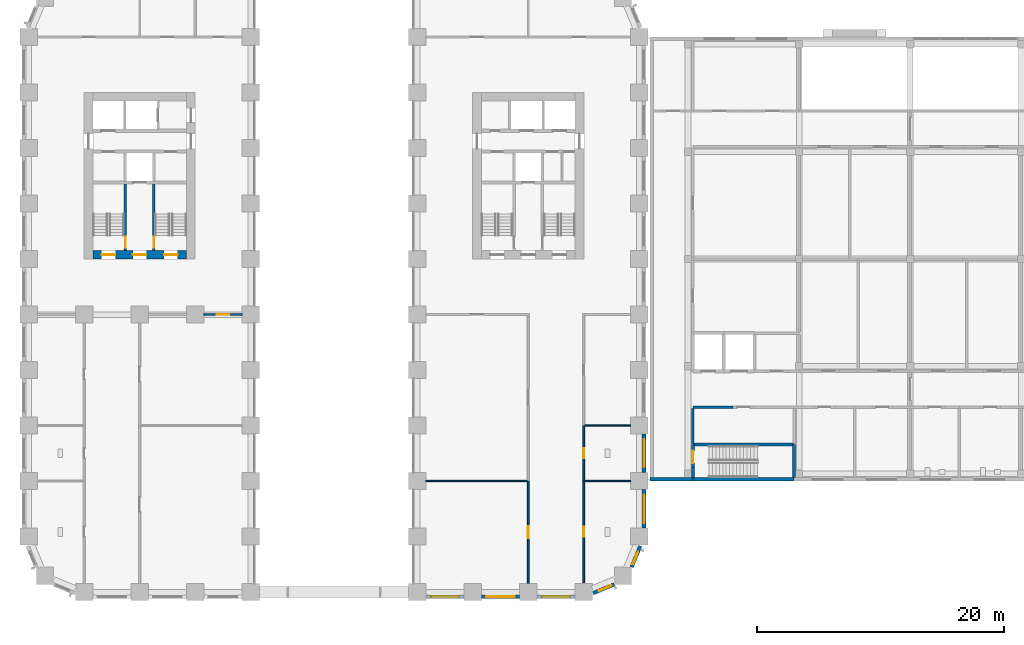
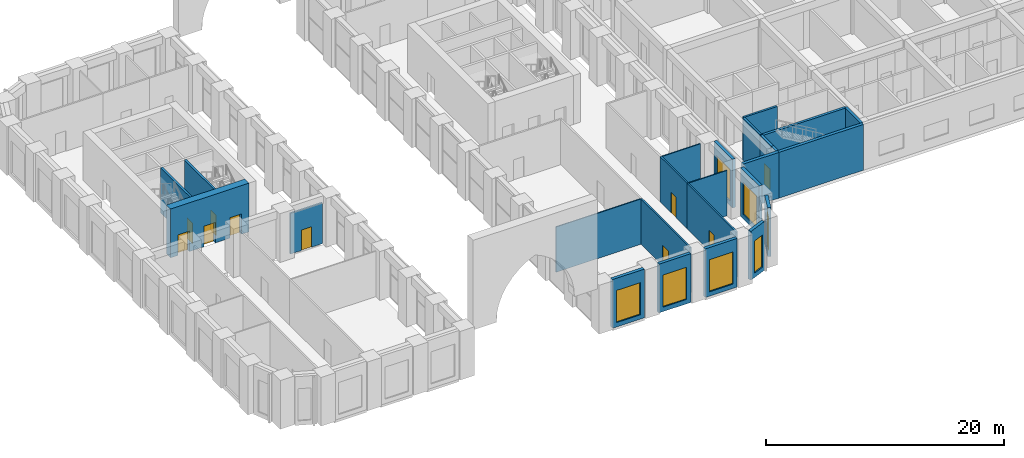
# One storey, part 11 of 25: 25 walls, 10 doors, 7 windows, 17 openings.
"""IFC4 building model written with IfcOpenShell, lengths in metres."""

import ifcopenshell
import ifcopenshell.guid

model = None  # the IFC model being written
_history = None  # IfcOwnerHistory: only IFC2X3 demands one
_inside = {}  # id of a spatial element -> (the spatial element, [elements in it])
_under = {}  # id of a project, library or spatial element -> (it, [spatial elements below it])
_declared = {}  # id of a project -> (the project, [libraries it declares])
_typed = {}  # id of a type object -> (the type object, [elements of that type])
_made_of = {}  # id of a material, layer set ... -> (it, [elements and type objects made of it])


def new_model(schema):
    """Start an empty IFC model of exactly this schema.

    Asked for "IFC4X3", IfcOpenShell would pick the latest addendum, in which some entities
    have other attributes; the version numbers below select the first issue.
    IFC2X3 requires an IfcOwnerHistory on every rooted entity: one is made here for all.
    """
    global model, _history
    if schema == "IFC4X3":
        model = ifcopenshell.file(schema_version=(4, 3, 0, 0))
    else:
        model = ifcopenshell.file(schema=schema)
    _inside.clear()
    _under.clear()
    _declared.clear()
    _typed.clear()
    _made_of.clear()
    _history = None
    if model.schema == "IFC2X3":
        org = make("IfcOrganization", Name="unknown")
        user = make(
            "IfcPersonAndOrganization",
            ThePerson=make("IfcPerson", FamilyName="unknown"),
            TheOrganization=org,
        )
        app = make(
            "IfcApplication",
            ApplicationDeveloper=org,
            Version="unknown",
            ApplicationFullName="unknown",
            ApplicationIdentifier="unknown",
        )
        _history = make(
            "IfcOwnerHistory",
            OwningUser=user,
            OwningApplication=app,
            ChangeAction="ADDED",
            CreationDate=0,
        )
    return model


def make(cls, **values):
    """One entity of the class cls with the attributes given. An attribute that is None is left unset."""
    return model.create_entity(
        cls, **{name: value for name, value in values.items() if value is not None}
    )


def rooted(cls, **values):
    """An entity with a GlobalId (a new one), such as an element, a storey or a relation."""
    return make(cls, GlobalId=ifcopenshell.guid.new(), OwnerHistory=_history, **values)


def si_unit(unit_type, name, prefix=None):
    """IfcSIUnit, for example si_unit("LENGTHUNIT", "METRE", prefix="MILLI")."""
    return make("IfcSIUnit", UnitType=unit_type, Prefix=prefix, Name=name)


def assignment(units):
    """IfcUnitAssignment: the units of a project."""
    return None if units is None else make("IfcUnitAssignment", Units=units)


def point(xyz):
    """IfcCartesianPoint."""
    return None if xyz is None else make("IfcCartesianPoint", Coordinates=xyz)


def direction(xyz):
    """IfcDirection."""
    return None if xyz is None else make("IfcDirection", DirectionRatios=xyz)


def frame(location, z_axis=None, x_axis=None):
    """IfcAxis2Placement3D, a coordinate frame: its origin and axes. An axis left out is left unset."""
    return make(
        "IfcAxis2Placement3D",
        Location=point(location),
        Axis=direction(z_axis),
        RefDirection=direction(x_axis),
    )


def frame_2d(location, x_axis=None):
    """IfcAxis2Placement2D, a coordinate frame in the plane: its origin and x axis."""
    return make(
        "IfcAxis2Placement2D", Location=point(location), RefDirection=direction(x_axis)
    )


def origin():
    """The frame at (0, 0, 0) with its axes left unset."""
    return frame((0.0, 0.0, 0.0))


def place(relative_to, where):
    """IfcLocalPlacement: puts the frame where relative to a parent placement (None: the world)."""
    return make(
        "IfcLocalPlacement", PlacementRelTo=relative_to, RelativePlacement=where
    )


def context(
    kind, dimensions, precision=None, world=None, true_north=None, identifier=None
):
    """IfcGeometricRepresentationContext, for example the 3D "Model" context."""
    return make(
        "IfcGeometricRepresentationContext",
        ContextIdentifier=identifier,
        ContextType=kind,
        CoordinateSpaceDimension=dimensions,
        Precision=precision,
        WorldCoordinateSystem=world,
        TrueNorth=true_north,
    )


def subcontext(parent, identifier, kind, view, scale=None):
    """IfcGeometricRepresentationSubContext, for example "Body" below "Model"."""
    return make(
        "IfcGeometricRepresentationSubContext",
        ContextIdentifier=identifier,
        ContextType=kind,
        ParentContext=parent,
        TargetScale=scale,
        TargetView=view,
    )


def project(units=None, contexts=None):
    """IfcProject with its units and contexts."""
    return rooted(
        "IfcProject",
        Name="project",
        RepresentationContexts=contexts,
        UnitsInContext=assignment(units),
    )


def spatial(cls, under=None, at=None, **own):
    """A site, building, storey or space (cls), placed at a placement, below another one or the project."""
    s = rooted(cls, ObjectPlacement=at, **own)
    if under is not None:
        _under.setdefault(under.id(), (under, []))[1].append(s)
    return s


def profile(cls, at=None, kind="AREA", **sizes):
    """A parametric profile (cls). Its sizes go by their IFC names, for example OverallWidth=200.0."""
    return make(cls, ProfileType=kind, Position=at, **sizes)


def rectangle(**sizes):
    """IfcRectangleProfileDef."""
    return profile("IfcRectangleProfileDef", **sizes)


def extrude(swept, where, along, depth):
    """IfcExtrudedAreaSolid: the profile swept, set in the frame where, extruded along a direction by depth."""
    return make(
        "IfcExtrudedAreaSolid",
        SweptArea=swept,
        Position=where,
        ExtrudedDirection=direction(along),
        Depth=depth,
    )


def shape(context_of_items, identifier, shape_type, items):
    """IfcShapeRepresentation: the items that make up one representation, for example the "Body"."""
    return make(
        "IfcShapeRepresentation",
        ContextOfItems=context_of_items,
        RepresentationIdentifier=identifier,
        RepresentationType=shape_type,
        Items=items,
    )


def material(Name=None, Category=None):
    """IfcMaterial."""
    return make("IfcMaterial", Name=Name, Category=Category)


def layer(
    of_material, thickness, ventilated=None, Name=None, Category=None, Priority=None
):
    """IfcMaterialLayer: one layer of a wall or slab, of a material (None: an air gap)."""
    return make(
        "IfcMaterialLayer",
        Material=of_material,
        LayerThickness=thickness,
        IsVentilated=ventilated,
        Name=Name,
        Category=Category,
        Priority=Priority,
    )


def layer_set(layers, Name=None):
    """IfcMaterialLayerSet."""
    return make("IfcMaterialLayerSet", MaterialLayers=layers, LayerSetName=Name)


def made_of(thing, what):
    """Note that an element or type object is made of a material, layer set ...; save() writes the relation."""
    if what is not None:
        _made_of.setdefault(what.id(), (what, []))[1].append(thing)
    return thing


def type_object(cls, material=None, **own):
    """A type object (cls), such as IfcWallType, which elements share."""
    return made_of(rooted(cls, **own), material)


def element(
    cls,
    number,
    at=None,
    inside=None,
    cuts=None,
    type_object=None,
    material=None,
    context=None,
    identifier="Body",
    shape_type=None,
    held_by="IfcProductDefinitionShape",
    body=None,
    shapes=None,
    **own,
):
    """One element of the class cls, such as IfcWall. Its Tag is "e" and its number.

    at: its placement. inside: the storey or other place that contains it. cuts: it is an
    opening in that element (IfcRelVoidsElement). A single representation is given by context,
    identifier, shape_type and body (its items); several are given by shapes. held_by: the class
    of the entity that holds the representations. save() writes the other relations.
    """
    e = rooted(cls, Tag="e%d" % number, ObjectPlacement=at, **own)
    if body is not None:
        shapes = [shape(context, identifier, shape_type, body)]
    if shapes is not None:
        e.Representation = make(held_by, Representations=shapes)
    if inside is not None:
        _inside.setdefault(inside.id(), (inside, []))[1].append(e)
    if cuts is not None:
        rooted(
            "IfcRelVoidsElement", RelatingBuildingElement=cuts, RelatedOpeningElement=e
        )
    if type_object is not None:
        _typed.setdefault(type_object.id(), (type_object, []))[1].append(e)
    return made_of(e, material)


def fill(opening, filler):
    """IfcRelFillsElement: the door or window that sits in an opening."""
    return rooted(
        "IfcRelFillsElement",
        RelatingOpeningElement=opening,
        RelatedBuildingElement=filler,
    )


def aggregate(whole, parts):
    """IfcRelAggregates: a whole, such as a stair, and the parts it consists of."""
    return rooted("IfcRelAggregates", RelatingObject=whole, RelatedObjects=parts)


def save(model, path):
    """Write the relations noted so far, then the file.

    IfcRelAggregates (storeys below a building ...), IfcRelContainedInSpatialStructure (elements
    in a storey), IfcRelDefinesByType, IfcRelAssociatesMaterial and IfcRelDeclares: one each for
    every whole, place, type object, material and project.
    """
    for whole, parts in _under.values():
        aggregate(whole, parts)
    for where, things in _inside.values():
        rooted(
            "IfcRelContainedInSpatialStructure",
            RelatedElements=things,
            RelatingStructure=where,
        )
    for kind, things in _typed.values():
        rooted("IfcRelDefinesByType", RelatedObjects=things, RelatingType=kind)
    for what, things in _made_of.values():
        rooted("IfcRelAssociatesMaterial", RelatedObjects=things, RelatingMaterial=what)
    for by, libraries in _declared.values():
        rooted("IfcRelDeclares", RelatingContext=by, RelatedDefinitions=libraries)
    model.write(path)


model = new_model("IFC4")

# Units and contexts
model_context = context("Model", 3, precision=1e-05, world=origin(), true_north=direction((0.0, 1.0)))
body_context = subcontext(model_context, "Body", "Model", "MODEL_VIEW")
ifc_project = project(units=[si_unit("LENGTHUNIT", "METRE"), si_unit("AREAUNIT", "SQUARE_METRE"), si_unit("VOLUMEUNIT", "CUBIC_METRE"), si_unit("PLANEANGLEUNIT", "RADIAN"), si_unit("MASSUNIT", "GRAM", prefix="KILO")], contexts=[model_context])

# Site, building, storey
site_placement = place(None, origin())
site = spatial("IfcSite", under=ifc_project, at=site_placement, CompositionType="ELEMENT")
building_placement = place(site_placement, origin())
building = spatial("IfcBuilding", under=site, at=building_placement, Name="Girih Gate Residences", CompositionType="ELEMENT")
storey_placement = place(building_placement, frame((0.0, 0.0, 6.0)))
storey = spatial("IfcBuildingStorey", under=building, at=storey_placement, Name="L01", CompositionType="ELEMENT", Elevation=6.0)

# Wall, opening, door
ifc_material_1 = material(Name="Gypsum board on steel studs", Category="steel")
ifc_layer_1 = layer(ifc_material_1, 0.14990234375)
ifc_layer_set_1 = layer_set([ifc_layer_1], Name="Compartment wall 150 mm")
wall_type_1 = type_object("IfcWallType", Name="Compartment wall 150 mm", PredefinedType="PARTITIONING", material=ifc_layer_set_1)
wall_1_placement = place(storey_placement, frame((40.5, 0.699951171875, 0.0), z_axis=(0.0, 0.0, 1.0), x_axis=(0.0, 1.0, 0.0)))
wall_1 = element("IfcWall", 1, at=wall_1_placement, inside=storey, type_object=wall_type_1, Name="L01 partition", PredefinedType="PARTITIONING", context=body_context, shape_type="SweptSolid", body=[
    extrude(rectangle(XDim=8.300048828125, YDim=0.14990234375, at=frame_2d((4.14990234375, 0.0))), origin(), (0.0, 0.0, 1.0), 4.64990234375),
])
opening_1_placement = place(wall_1_placement, frame((3.64990234375, 0.0, 0.0)))
opening_1 = element("IfcOpeningElement", 2, at=opening_1_placement, cuts=wall_1, Name="Opening D-L01-S-004", PredefinedType="OPENING", context=body_context, shape_type="SweptSolid", body=[
    extrude(rectangle(XDim=1.0, YDim=2.10009765625, at=frame_2d((0.5, 1.050048828125))), frame((0.0, 0.0849609375, 0.0), z_axis=(0.0, -1.0, 0.0), x_axis=(1.0, 0.0, 0.0)), (0.0, 0.0, 1.0), 0.169921875),
])
ifc_material_2 = material(Name="Timber, fire-rated core", Category="wood")
door_type_1 = type_object("IfcDoorType", Name="Amenity door 1000x2100 FD30S", OperationType="SINGLE_SWING_LEFT", PredefinedType="DOOR", material=ifc_material_2)
door_1_placement = place(opening_1_placement, origin())
door_1 = element("IfcDoor", 3, at=door_1_placement, inside=storey, type_object=door_type_1, Name="Door L01-004", OperationType="SINGLE_SWING_RIGHT", OverallHeight=2.10009765625, OverallWidth=1.0, PredefinedType="DOOR", context=body_context, shape_type="SweptSolid", body=[
    extrude(rectangle(XDim=1.0, YDim=2.10009765625, at=frame_2d((0.5, 1.050048828125))), frame((0.0, 0.02490234375, 0.0), z_axis=(0.0, -1.0, 0.0), x_axis=(1.0, 0.0, 0.0)), (0.0, 0.0, 1.0), 0.050048828125),
])
fill(opening_1, door_1)

wall_2_placement = place(storey_placement, frame((45.0, 9.0, 0.0), z_axis=(0.0, 0.0, 1.0), x_axis=(0.0, -1.0, 0.0)))
wall_2 = element("IfcWall", 4, at=wall_2_placement, inside=storey, type_object=wall_type_1, Name="L01 partition", PredefinedType="PARTITIONING", context=body_context, shape_type="SweptSolid", body=[
    extrude(rectangle(XDim=8.242431640625, YDim=0.14990234375, at=frame_2d((4.12109375, 0.0))), origin(), (0.0, 0.0, 1.0), 4.64990234375),
])
opening_2_placement = place(wall_2_placement, frame((3.72119140625, 0.0, 0.0)))
opening_2 = element("IfcOpeningElement", 5, at=opening_2_placement, cuts=wall_2, Name="Opening D-L01-S-006", PredefinedType="OPENING", context=body_context, shape_type="SweptSolid", body=[
    extrude(rectangle(XDim=0.800048828125, YDim=2.10009765625, at=frame_2d((0.39990234375, 1.050048828125))), frame((0.0, 0.0849609375, 0.0), z_axis=(0.0, -1.0, 0.0), x_axis=(1.0, 0.0, 0.0)), (0.0, 0.0, 1.0), 0.169921875),
])
ifc_material_3 = material(Name="Timber", Category="wood")
door_type_2 = type_object("IfcDoorType", Name="WC and store door 800x2100", OperationType="SINGLE_SWING_LEFT", PredefinedType="DOOR", material=ifc_material_3)
door_2_placement = place(opening_2_placement, origin())
door_2 = element("IfcDoor", 6, at=door_2_placement, inside=storey, type_object=door_type_2, Name="Door L01-006", OperationType="SINGLE_SWING_RIGHT", OverallHeight=2.10009765625, OverallWidth=0.800048828125, PredefinedType="DOOR", context=body_context, shape_type="SweptSolid", body=[
    extrude(rectangle(XDim=0.800048828125, YDim=2.10009765625, at=frame_2d((0.39990234375, 1.050048828125))), frame((0.0, 0.02490234375, 0.0), z_axis=(0.0, -1.0, 0.0), x_axis=(1.0, 0.0, 0.0)), (0.0, 0.0, 1.0), 0.050048828125),
])
fill(opening_2, door_2)

wall_3_placement = place(storey_placement, frame((45.0, 13.5, 0.0), z_axis=(0.0, 0.0, 1.0), x_axis=(0.0, -1.0, 0.0)))
wall_3 = element("IfcWall", 7, at=wall_3_placement, inside=storey, type_object=wall_type_1, Name="L01 partition", PredefinedType="PARTITIONING", context=body_context, shape_type="SweptSolid", body=[
    extrude(rectangle(XDim=4.5, YDim=0.14990234375, at=frame_2d((2.25, 0.0))), origin(), (0.0, 0.0, 1.0), 4.64990234375),
])
opening_3_placement = place(wall_3_placement, frame((1.85009765625, 0.0, 0.0)))
opening_3 = element("IfcOpeningElement", 8, at=opening_3_placement, cuts=wall_3, Name="Opening D-L01-S-007", PredefinedType="OPENING", context=body_context, shape_type="SweptSolid", body=[
    extrude(rectangle(XDim=0.800048828125, YDim=2.10009765625, at=frame_2d((0.39990234375, 1.050048828125))), frame((0.0, 0.0849609375, 0.0), z_axis=(0.0, -1.0, 0.0), x_axis=(1.0, 0.0, 0.0)), (0.0, 0.0, 1.0), 0.169921875),
])
door_3_placement = place(opening_3_placement, origin())
door_3 = element("IfcDoor", 9, at=door_3_placement, inside=storey, type_object=door_type_2, Name="Door L01-007", OperationType="SINGLE_SWING_RIGHT", OverallHeight=2.10009765625, OverallWidth=0.800048828125, PredefinedType="DOOR", context=body_context, shape_type="SweptSolid", body=[
    extrude(rectangle(XDim=0.800048828125, YDim=2.10009765625, at=frame_2d((0.39990234375, 1.050048828125))), frame((0.0, 0.02490234375, 0.0), z_axis=(0.0, -1.0, 0.0), x_axis=(1.0, 0.0, 0.0)), (0.0, 0.0, 1.0), 0.050048828125),
])
fill(opening_3, door_3)

wall_4_placement = place(storey_placement, frame((17.300048828125, 22.5, 0.0), z_axis=(0.0, 0.0, 1.0), x_axis=(-1.0, 0.0, 0.0)))
wall_4 = element("IfcWall", 10, at=wall_4_placement, inside=storey, type_object=wall_type_1, Name="L01 partition", PredefinedType="PARTITIONING", context=body_context, shape_type="SweptSolid", body=[
    extrude(rectangle(XDim=3.10009765625, YDim=0.14990234375, at=frame_2d((1.550048828125, 0.0))), origin(), (0.0, 0.0, 1.0), 4.179931640625),
])
opening_4_placement = place(wall_4_placement, frame((1.050048828125, 0.0, 0.0)))
opening_4 = element("IfcOpeningElement", 11, at=opening_4_placement, cuts=wall_4, Name="Opening D-L01-S-009", PredefinedType="OPENING", context=body_context, shape_type="SweptSolid", body=[
    extrude(rectangle(XDim=1.0, YDim=2.10009765625, at=frame_2d((0.5, 1.050048828125))), frame((0.0, 0.0849609375, 0.0), z_axis=(0.0, -1.0, 0.0), x_axis=(1.0, 0.0, 0.0)), (0.0, 0.0, 1.0), 0.169921875),
])
door_4_placement = place(opening_4_placement, origin())
door_4 = element("IfcDoor", 12, at=door_4_placement, inside=storey, type_object=door_type_1, Name="Door L01-009", OperationType="SINGLE_SWING_RIGHT", OverallHeight=2.10009765625, OverallWidth=1.0, PredefinedType="DOOR", context=body_context, shape_type="SweptSolid", body=[
    extrude(rectangle(XDim=1.0, YDim=2.10009765625, at=frame_2d((0.5, 1.050048828125))), frame((0.0, 0.02490234375, 0.0), z_axis=(0.0, -1.0, 0.0), x_axis=(1.0, 0.0, 0.0)), (0.0, 0.0, 1.0), 0.050048828125),
])
fill(opening_4, door_4)

# Wall, openings, doors
ifc_material_4 = material(Name="Concrete C60/75", Category="concrete")
ifc_layer_2 = layer(ifc_material_4, 0.699951171875)
ifc_layer_set_2 = layer_set([ifc_layer_2], Name="Core wall RC 700 Concrete C60/75")
wall_type_2 = type_object("IfcWallType", Name="Core wall RC 700 Concrete C60/75", PredefinedType="SOLIDWALL", material=ifc_layer_set_2)
wall_5_placement = place(storey_placement, frame((5.199951171875, 27.35009765625, 0.0), z_axis=(0.0, 0.0, 1.0), x_axis=(1.0, 0.0, 0.0)))
wall_5 = element("IfcWall", 13, at=wall_5_placement, inside=storey, type_object=wall_type_2, Name="Core wall W-S L01", PredefinedType="SOLIDWALL", context=body_context, shape_type="SweptSolid", body=[
    extrude(rectangle(XDim=7.60009765625, YDim=0.699951171875, at=frame_2d((3.800048828125, 0.0))), origin(), (0.0, 0.0, 1.0), 5.0),
])
opening_5_placement = place(wall_5_placement, frame((0.72509765625, 0.0, 0.0)))
opening_5 = element("IfcOpeningElement", 14, at=opening_5_placement, cuts=wall_5, Name="Opening D-L01-W-008", PredefinedType="OPENING", context=body_context, shape_type="SweptSolid", body=[
    extrude(rectangle(XDim=1.10009765625, YDim=2.10009765625, at=frame_2d((0.550048828125, 1.050048828125))), frame((0.0, 0.35986328125, 0.0), z_axis=(0.0, -1.0, 0.0), x_axis=(1.0, 0.0, 0.0)), (0.0, 0.0, 1.0), 0.719970703125),
])
opening_6_placement = place(wall_5_placement, frame((3.25, 0.0, 0.0)))
opening_6 = element("IfcOpeningElement", 15, at=opening_6_placement, cuts=wall_5, Name="Opening D-L01-W-009", PredefinedType="OPENING", context=body_context, shape_type="SweptSolid", body=[
    extrude(rectangle(XDim=1.10009765625, YDim=2.10009765625, at=frame_2d((0.550048828125, 1.050048828125))), frame((0.0, 0.35986328125, 0.0), z_axis=(0.0, -1.0, 0.0), x_axis=(1.0, 0.0, 0.0)), (0.0, 0.0, 1.0), 0.719970703125),
])
opening_7_placement = place(wall_5_placement, frame((5.77490234375, 0.0, 0.0)))
opening_7 = element("IfcOpeningElement", 16, at=opening_7_placement, cuts=wall_5, Name="Opening D-L01-W-010", PredefinedType="OPENING", context=body_context, shape_type="SweptSolid", body=[
    extrude(rectangle(XDim=1.10009765625, YDim=2.10009765625, at=frame_2d((0.550048828125, 1.050048828125))), frame((0.0, 0.35986328125, 0.0), z_axis=(0.0, -1.0, 0.0), x_axis=(1.0, 0.0, 0.0)), (0.0, 0.0, 1.0), 0.719970703125),
])
ifc_material_5 = material(Name="Painted steel, fire-resisting", Category="steel")
door_type_3 = type_object("IfcDoorType", Name="Fire door 1100x2100", OperationType="SINGLE_SWING_LEFT", PredefinedType="DOOR", material=ifc_material_5)
door_5_placement = place(opening_5_placement, origin())
door_5 = element("IfcDoor", 17, at=door_5_placement, inside=storey, type_object=door_type_3, Name="L01 W core door sta-out", OperationType="SINGLE_SWING_LEFT", OverallHeight=2.10009765625, OverallWidth=1.10009765625, PredefinedType="DOOR", context=body_context, shape_type="SweptSolid", body=[
    extrude(rectangle(XDim=1.10009765625, YDim=2.10009765625, at=frame_2d((0.550048828125, 1.050048828125))), frame((0.0, 0.02490234375, 0.0), z_axis=(0.0, -1.0, 0.0), x_axis=(1.0, 0.0, 0.0)), (0.0, 0.0, 1.0), 0.050048828125),
])
fill(opening_5, door_5)
door_6_placement = place(opening_6_placement, origin())
door_6 = element("IfcDoor", 18, at=door_6_placement, inside=storey, type_object=door_type_3, Name="L01 W core door ffl-out", OperationType="SINGLE_SWING_LEFT", OverallHeight=2.10009765625, OverallWidth=1.10009765625, PredefinedType="DOOR", context=body_context, shape_type="SweptSolid", body=[
    extrude(rectangle(XDim=1.10009765625, YDim=2.10009765625, at=frame_2d((0.550048828125, 1.050048828125))), frame((0.0, 0.02490234375, 0.0), z_axis=(0.0, -1.0, 0.0), x_axis=(1.0, 0.0, 0.0)), (0.0, 0.0, 1.0), 0.050048828125),
])
fill(opening_6, door_6)
door_7_placement = place(opening_7_placement, origin())
door_7 = element("IfcDoor", 19, at=door_7_placement, inside=storey, type_object=door_type_3, Name="L01 W core door stb-out", OperationType="SINGLE_SWING_LEFT", OverallHeight=2.10009765625, OverallWidth=1.10009765625, PredefinedType="DOOR", context=body_context, shape_type="SweptSolid", body=[
    extrude(rectangle(XDim=1.10009765625, YDim=2.10009765625, at=frame_2d((0.550048828125, 1.050048828125))), frame((0.0, 0.02490234375, 0.0), z_axis=(0.0, -1.0, 0.0), x_axis=(1.0, 0.0, 0.0)), (0.0, 0.0, 1.0), 0.050048828125),
])
fill(opening_7, door_7)

# Walls
ifc_material_6 = material(Name="Fire-rated gypsum partition")
ifc_layer_3 = layer(ifc_material_6, 0.199951171875)
ifc_layer_set_3 = layer_set([ifc_layer_3], Name="HC Corridor wall 200 EI 60")
wall_type_3 = type_object("IfcWallType", Name="HC Corridor wall 200 EI 60", PredefinedType="PARTITIONING", material=ifc_layer_set_3)
wall_6_placement = place(storey_placement, frame((53.85009765625, 15.0, 0.0), z_axis=(0.0, 0.0, 1.0), x_axis=(1.0, 0.0, 0.0)))
element("IfcWall", 20, at=wall_6_placement, inside=storey, type_object=wall_type_3, Name="L01 wall x15.00/53.9", PredefinedType="PARTITIONING", context=body_context, shape_type="SweptSolid", body=[
    extrude(rectangle(XDim=3.25, YDim=0.199951171875, at=frame_2d((1.625, 0.0))), origin(), (0.0, 0.0, 1.0), 4.699951171875),
])
wall_7_placement = place(storey_placement, frame((53.85009765625, 12.050048828125, 0.0), z_axis=(0.0, 0.0, 1.0), x_axis=(0.0, 1.0, 0.0)))
element("IfcWall", 21, at=wall_7_placement, inside=storey, type_object=wall_type_3, Name="L01 wall y53.85/12.1", PredefinedType="PARTITIONING", context=body_context, shape_type="SweptSolid", body=[
    extrude(rectangle(XDim=2.849853515625, YDim=0.199951171875, at=frame_2d((1.4248046875, 0.0))), origin(), (0.0, 0.0, 1.0), 4.699951171875),
])
ifc_material_7 = material(Name="Precast concrete C40/50", Category="concrete")
ifc_layer_4 = layer(ifc_material_7, 0.300048828125)
ifc_layer_set_4 = layer_set([ifc_layer_4], Name="HC Facade wall 300")
wall_type_4 = type_object("IfcWallType", Name="HC Facade wall 300", PredefinedType="SOLIDWALL", material=ifc_layer_set_4)
wall_8_placement = place(storey_placement, frame((53.85009765625, 9.14990234375, 0.0), z_axis=(0.0, 0.0, 1.0), x_axis=(-1.0, 0.0, 0.0)))
element("IfcWall", 22, at=wall_8_placement, inside=storey, type_object=wall_type_4, Name="L01 south facade wall", PredefinedType="SOLIDWALL", context=body_context, shape_type="SweptSolid", body=[
    extrude(rectangle(XDim=3.5, YDim=0.300048828125, at=frame_2d((1.75, 0.0))), origin(), (0.0, 0.0, 1.0), 4.699951171875),
])
ifc_material_8 = material(Name="Concrete C40/50", Category="concrete")
ifc_layer_5 = layer(ifc_material_8, 0.25)
ifc_layer_set_5 = layer_set([ifc_layer_5], Name="HC Shaft wall 250 C40/50")
wall_type_5 = type_object("IfcWallType", Name="HC Shaft wall 250 C40/50", PredefinedType="SHEAR", material=ifc_layer_set_5)
wall_9_placement = place(storey_placement, frame((53.85009765625, 11.949951171875, 0.0), z_axis=(0.0, 0.0, 1.0), x_axis=(1.0, 0.0, 0.0)))
element("IfcWall", 23, at=wall_9_placement, inside=storey, type_object=wall_type_5, Name="L01 wall x11.95/53.9", PredefinedType="SHEAR", context=body_context, shape_type="SweptSolid", body=[
    extrude(rectangle(XDim=8.199951171875, YDim=0.25, at=frame_2d((4.10009765625, 0.0))), origin(), (0.0, 0.0, 1.0), 4.699951171875),
])
wall_10_placement = place(storey_placement, frame((53.85009765625, 9.300048828125, 0.0), z_axis=(0.0, 0.0, 1.0), x_axis=(0.0, 1.0, 0.0)))
element("IfcWall", 24, at=wall_10_placement, inside=storey, type_object=wall_type_5, Name="L01 wall y53.85/9.3", PredefinedType="SHEAR", context=body_context, shape_type="SweptSolid", body=[
    extrude(rectangle(XDim=0.800048828125, YDim=0.25, at=frame_2d((0.39990234375, 0.0))), origin(), (0.0, 0.0, 1.0), 4.699951171875),
])

# Wall, opening, door
wall_11_placement = place(storey_placement, frame((53.85009765625, 10.10009765625, 0.0), z_axis=(0.0, 0.0, 1.0), x_axis=(0.0, 1.0, 0.0)))
wall_11 = element("IfcWall", 25, at=wall_11_placement, inside=storey, type_object=wall_type_5, Name="L01 wall y53.85/10.1", PredefinedType="SHEAR", context=body_context, shape_type="SweptSolid", body=[
    extrude(rectangle(XDim=1.849853515625, YDim=0.25, at=frame_2d((0.9248046875, 0.0))), origin(), (0.0, 0.0, 1.0), 4.699951171875),
])
opening_8_placement = place(wall_11_placement, frame((0.35009765625, 0.0, 0.0)))
opening_8 = element("IfcOpeningElement", 26, at=opening_8_placement, cuts=wall_11, Name="Opening HC-L01-D01", PredefinedType="OPENING", context=body_context, shape_type="SweptSolid", body=[
    extrude(rectangle(XDim=1.0, YDim=2.10009765625, at=frame_2d((0.5, 1.050048828125))), frame((0.0, 0.135009765625, 0.0), z_axis=(0.0, -1.0, 0.0), x_axis=(1.0, 0.0, 0.0)), (0.0, 0.0, 1.0), 0.27001953125),
])
ifc_material_9 = material(Name="Steel door set", Category="steel")
door_type_4 = type_object("IfcDoorType", Name="HC Stair door 1000x2100 FD60", OperationType="NOTDEFINED", PredefinedType="DOOR", material=ifc_material_9)
door_8_placement = place(opening_8_placement, origin())
door_8 = element("IfcDoor", 27, at=door_8_placement, inside=storey, type_object=door_type_4, Name="L01 Stair A door", OperationType="SINGLE_SWING_LEFT", OverallHeight=2.10009765625, OverallWidth=1.0, PredefinedType="DOOR", context=body_context, shape_type="SweptSolid", body=[
    extrude(rectangle(XDim=1.0, YDim=2.10009765625, at=frame_2d((0.5, 1.050048828125))), frame((0.0, 0.02490234375, 0.0), z_axis=(0.0, -1.0, 0.0), x_axis=(1.0, 0.0, 0.0)), (0.0, 0.0, 1.0), 0.050048828125),
])
fill(opening_8, door_8)

# Walls
wall_12_placement = place(storey_placement, frame((62.050048828125, 9.300048828125, 0.0), z_axis=(0.0, 0.0, 1.0), x_axis=(0.0, 1.0, 0.0)))
element("IfcWall", 28, at=wall_12_placement, inside=storey, type_object=wall_type_5, Name="L01 wall y62.05/9.3", PredefinedType="SHEAR", context=body_context, shape_type="SweptSolid", body=[
    extrude(rectangle(XDim=2.64990234375, YDim=0.25, at=frame_2d((1.324951171875, 0.0))), origin(), (0.0, 0.0, 1.0), 4.699951171875),
])
ifc_layer_6 = layer(ifc_material_7, 0.300048828125)
ifc_layer_set_6 = layer_set([ifc_layer_6], Name="HC Stair shaft facade wall 300")
wall_type_6 = type_object("IfcWallType", Name="HC Stair shaft facade wall 300", PredefinedType="SHEAR", material=ifc_layer_set_6)
wall_13_placement = place(storey_placement, frame((62.050048828125, 9.14990234375, 0.0), z_axis=(0.0, 0.0, 1.0), x_axis=(-1.0, 0.0, 0.0)))
element("IfcWall", 29, at=wall_13_placement, inside=storey, type_object=wall_type_6, Name="L01 south facade wall over stair A", PredefinedType="SHEAR", context=body_context, shape_type="SweptSolid", body=[
    extrude(rectangle(XDim=8.199951171875, YDim=0.300048828125, at=frame_2d((4.10009765625, 0.0))), origin(), (0.0, 0.0, 1.0), 4.699951171875),
])
ifc_layer_7 = layer(ifc_material_1, 0.10009765625)
ifc_layer_set_7 = layer_set([ifc_layer_7], Name="Partition 100 mm")
wall_type_7 = type_object("IfcWallType", Name="Partition 100 mm", PredefinedType="PARTITIONING", material=ifc_layer_set_7)
wall_14_placement = place(storey_placement, frame((32.199951171875, 9.0, 0.0), z_axis=(0.0, 0.0, 1.0), x_axis=(1.0, 0.0, 0.0)))
element("IfcWall", 30, at=wall_14_placement, inside=storey, type_object=wall_type_7, Name="L01 partition", PredefinedType="PARTITIONING", context=body_context, shape_type="SweptSolid", body=[
    extrude(rectangle(XDim=8.22509765625, YDim=0.10009765625, at=frame_2d((4.112548828125, 0.0))), origin(), (0.0, 0.0, 1.0), 4.64990234375),
])
for number, where, z_axis, x_axis, name in (
    (31, (45.074951171875, 9.0, 0.0), (0.0, 0.0, 1.0), (1.0, 0.0, 0.0), "L01 partition"),
    (32, (45.074951171875, 13.5, 0.0), (0.0, 0.0, 1.0), (1.0, 0.0, 0.0), "L01 partition"),
):
    element("IfcWall", number, at=place(storey_placement, frame(where, z_axis=z_axis, x_axis=x_axis)), inside=storey, type_object=wall_type_7, Name=name, PredefinedType="PARTITIONING", context=body_context, shape_type="SweptSolid", body=[
        extrude(rectangle(XDim=3.72509765625, YDim=0.10009765625, at=frame_2d((1.862548828125, 0.0))), origin(), (0.0, 0.0, 1.0), 4.64990234375),
    ])

# Wall, opening, window
ifc_material_10 = material(Name="Precast concrete C50/60", Category="concrete")
ifc_layer_8 = layer(ifc_material_10, 0.080078125, Name="Outer leaf")
ifc_material_11 = material(Name="Rigid PIR insulation")
ifc_layer_9 = layer(ifc_material_11, 0.14990234375, Name="Insulation")
ifc_layer_10 = layer(ifc_material_7, 0.070068359375, Name="Inner leaf")
ifc_layer_set_8 = layer_set([ifc_layer_8, ifc_layer_9, ifc_layer_10], Name="Precast concrete C50/60 external wall 300")
wall_type_8 = type_object("IfcWallType", Name="Precast concrete C50/60 external wall 300", PredefinedType="SOLIDWALL", material=ifc_layer_set_8)
wall_15_placement = place(storey_placement, frame((35.300048828125, -0.375, 0.0), z_axis=(0.0, 0.0, 1.0), x_axis=(-1.0, 0.0, 0.0)))
wall_15 = element("IfcWall", 33, at=wall_15_placement, inside=storey, type_object=wall_type_8, Name="External wall S0315_0000.0", PredefinedType="SOLIDWALL", context=body_context, shape_type="SweptSolid", body=[
    extrude(rectangle(XDim=3.10009765625, YDim=0.300048828125, at=frame_2d((1.550048828125, 0.0))), origin(), (0.0, 0.0, 1.0), 5.0),
])
opening_9_placement = place(wall_15_placement, frame((0.39990234375, 0.0, 0.449951171875)))
opening_9 = element("IfcOpeningElement", 34, at=opening_9_placement, cuts=wall_15, Name="Opening W-3", PredefinedType="OPENING", context=body_context, shape_type="SweptSolid", body=[
    extrude(rectangle(XDim=2.300048828125, YDim=3.300048828125, at=frame_2d((1.14990234375, 1.64990234375))), frame((0.0, 0.159912109375, 0.0), z_axis=(0.0, -1.0, 0.0), x_axis=(1.0, 0.0, 0.0)), (0.0, 0.0, 1.0), 0.320068359375),
])
ifc_material_12 = material(Name="Double glazing in aluminium frame", Category="aluminium")
window_type_1 = type_object("IfcWindowType", Name="Window W-3 2300x3300", PartitioningType="SINGLE_PANEL", PredefinedType="WINDOW", material=ifc_material_12)
window_1_placement = place(opening_9_placement, origin())
window_1 = element("IfcWindow", 35, at=window_1_placement, inside=storey, type_object=window_type_1, Name="Window W-3 S0315_0000.0", OverallHeight=3.300048828125, OverallWidth=2.300048828125, PartitioningType="SINGLE_PANEL", PredefinedType="WINDOW", context=body_context, shape_type="SweptSolid", body=[
    extrude(rectangle(XDim=2.300048828125, YDim=3.300048828125, at=frame_2d((1.14990234375, 1.64990234375))), frame((0.0, 0.030029296875, 0.0), z_axis=(0.0, -1.0, 0.0), x_axis=(1.0, 0.0, 0.0)), (0.0, 0.0, 1.0), 0.06005859375),
])
fill(opening_9, window_1)

wall_16_placement = place(storey_placement, frame((39.800048828125, -0.375, 0.0), z_axis=(0.0, 0.0, 1.0), x_axis=(-1.0, 0.0, 0.0)))
wall_16 = element("IfcWall", 36, at=wall_16_placement, inside=storey, type_object=wall_type_8, Name="External wall S0315_0000.1", PredefinedType="SOLIDWALL", context=body_context, shape_type="SweptSolid", body=[
    extrude(rectangle(XDim=3.10009765625, YDim=0.300048828125, at=frame_2d((1.550048828125, 0.0))), origin(), (0.0, 0.0, 1.0), 5.0),
])
opening_10_placement = place(wall_16_placement, frame((0.39990234375, 0.0, 0.449951171875)))
opening_10 = element("IfcOpeningElement", 37, at=opening_10_placement, cuts=wall_16, Name="Opening W-3", PredefinedType="OPENING", context=body_context, shape_type="SweptSolid", body=[
    extrude(rectangle(XDim=2.300048828125, YDim=3.300048828125, at=frame_2d((1.14990234375, 1.64990234375))), frame((0.0, 0.159912109375, 0.0), z_axis=(0.0, -1.0, 0.0), x_axis=(1.0, 0.0, 0.0)), (0.0, 0.0, 1.0), 0.320068359375),
])
window_2_placement = place(opening_10_placement, origin())
window_2 = element("IfcWindow", 38, at=window_2_placement, inside=storey, type_object=window_type_1, Name="Window W-3 S0315_0000.1", OverallHeight=3.300048828125, OverallWidth=2.300048828125, PartitioningType="SINGLE_PANEL", PredefinedType="WINDOW", context=body_context, shape_type="SweptSolid", body=[
    extrude(rectangle(XDim=2.300048828125, YDim=3.300048828125, at=frame_2d((1.14990234375, 1.64990234375))), frame((0.0, 0.030029296875, 0.0), z_axis=(0.0, -1.0, 0.0), x_axis=(1.0, 0.0, 0.0)), (0.0, 0.0, 1.0), 0.06005859375),
])
fill(opening_10, window_2)

wall_17_placement = place(storey_placement, frame((44.300048828125, -0.375, 0.0), z_axis=(0.0, 0.0, 1.0), x_axis=(-1.0, 0.0, 0.0)))
wall_17 = element("IfcWall", 39, at=wall_17_placement, inside=storey, type_object=wall_type_8, Name="External wall S0315_0000.2", PredefinedType="SOLIDWALL", context=body_context, shape_type="SweptSolid", body=[
    extrude(rectangle(XDim=3.10009765625, YDim=0.300048828125, at=frame_2d((1.550048828125, 0.0))), origin(), (0.0, 0.0, 1.0), 5.0),
])
opening_11_placement = place(wall_17_placement, frame((0.39990234375, 0.0, 0.449951171875)))
opening_11 = element("IfcOpeningElement", 40, at=opening_11_placement, cuts=wall_17, Name="Opening W-3", PredefinedType="OPENING", context=body_context, shape_type="SweptSolid", body=[
    extrude(rectangle(XDim=2.300048828125, YDim=3.300048828125, at=frame_2d((1.14990234375, 1.64990234375))), frame((0.0, 0.159912109375, 0.0), z_axis=(0.0, -1.0, 0.0), x_axis=(1.0, 0.0, 0.0)), (0.0, 0.0, 1.0), 0.320068359375),
])
window_3_placement = place(opening_11_placement, origin())
window_3 = element("IfcWindow", 41, at=window_3_placement, inside=storey, type_object=window_type_1, Name="Window W-3 S0315_0000.2", OverallHeight=3.300048828125, OverallWidth=2.300048828125, PartitioningType="SINGLE_PANEL", PredefinedType="WINDOW", context=body_context, shape_type="SweptSolid", body=[
    extrude(rectangle(XDim=2.300048828125, YDim=3.300048828125, at=frame_2d((1.14990234375, 1.64990234375))), frame((0.0, 0.030029296875, 0.0), z_axis=(0.0, -1.0, 0.0), x_axis=(1.0, 0.0, 0.0)), (0.0, 0.0, 1.0), 0.06005859375),
])
fill(opening_11, window_3)

wall_18_placement = place(storey_placement, frame((47.48046875, 0.62158203125, 0.0), z_axis=(0.0, 0.0, 1.0), x_axis=(-0.923903565336, -0.38262540684, 0.0)))
wall_18 = element("IfcWall", 42, at=wall_18_placement, inside=storey, type_object=wall_type_8, Name="External wall SE0450_0000.0", PredefinedType="SOLIDWALL", context=body_context, shape_type="SweptSolid", body=[
    extrude(rectangle(XDim=1.864990234375, YDim=0.300048828125, at=frame_2d((0.9326171875, 0.0))), origin(), (0.0, 0.0, 1.0), 5.0),
])
opening_12_placement = place(wall_18_placement, frame((0.257568359375, 0.0, 0.449951171875)))
opening_12 = element("IfcOpeningElement", 43, at=opening_12_placement, cuts=wall_18, Name="Opening W-2A", PredefinedType="OPENING", context=body_context, shape_type="SweptSolid", body=[
    extrude(rectangle(XDim=1.10009765625, YDim=3.300048828125, at=frame_2d((0.550048828125, 1.64990234375))), frame((0.0, 0.159912109375, 0.0), z_axis=(0.0, -1.0, 0.0), x_axis=(1.0, 0.0, 0.0)), (0.0, 0.0, 1.0), 0.320068359375),
])
window_type_2 = type_object("IfcWindowType", Name="Window W-2A 1100x3300", PartitioningType="SINGLE_PANEL", PredefinedType="WINDOW", material=ifc_material_12)
window_4_placement = place(opening_12_placement, origin())
window_4 = element("IfcWindow", 44, at=window_4_placement, inside=storey, type_object=window_type_2, Name="Window W-2A SE0450_0000.0", OverallHeight=3.300048828125, OverallWidth=1.10009765625, PartitioningType="SINGLE_PANEL", PredefinedType="WINDOW", context=body_context, shape_type="SweptSolid", body=[
    extrude(rectangle(XDim=1.10009765625, YDim=3.300048828125, at=frame_2d((0.550048828125, 1.64990234375))), frame((0.0, 0.030029296875, 0.0), z_axis=(0.0, -1.0, 0.0), x_axis=(1.0, 0.0, 0.0)), (0.0, 0.0, 1.0), 0.06005859375),
])
fill(opening_12, window_4)

wall_19_placement = place(storey_placement, frame((49.59228515625, 3.74267578125, 0.0), z_axis=(0.0, 0.0, 1.0), x_axis=(-0.382737135771, -0.923857286003, 0.0)))
wall_19 = element("IfcWall", 45, at=wall_19_placement, inside=storey, type_object=wall_type_8, Name="External wall SE0482_0013.0", PredefinedType="SOLIDWALL", context=body_context, shape_type="SweptSolid", body=[
    extrude(rectangle(XDim=1.865234375, YDim=0.300048828125, at=frame_2d((0.9326171875, 0.0))), origin(), (0.0, 0.0, 1.0), 5.0),
])
opening_13_placement = place(wall_19_placement, frame((0.507568359375, 0.0, 0.449951171875)))
opening_13 = element("IfcOpeningElement", 46, at=opening_13_placement, cuts=wall_19, Name="Opening W-2A", PredefinedType="OPENING", context=body_context, shape_type="SweptSolid", body=[
    extrude(rectangle(XDim=1.10009765625, YDim=3.300048828125, at=frame_2d((0.550048828125, 1.64990234375))), frame((0.0, 0.159912109375, 0.0), z_axis=(0.0, -1.0, 0.0), x_axis=(1.0, 0.0, 0.0)), (0.0, 0.0, 1.0), 0.320068359375),
])
window_5_placement = place(opening_13_placement, origin())
window_5 = element("IfcWindow", 47, at=window_5_placement, inside=storey, type_object=window_type_2, Name="Window W-2A SE0482_0013.0", OverallHeight=3.300048828125, OverallWidth=1.10009765625, PartitioningType="SINGLE_PANEL", PredefinedType="WINDOW", context=body_context, shape_type="SweptSolid", body=[
    extrude(rectangle(XDim=1.10009765625, YDim=3.300048828125, at=frame_2d((0.550048828125, 1.64990234375))), frame((0.0, 0.030029296875, 0.0), z_axis=(0.0, -1.0, 0.0), x_axis=(1.0, 0.0, 0.0)), (0.0, 0.0, 1.0), 0.06005859375),
])
fill(opening_13, window_5)

wall_20_placement = place(storey_placement, frame((49.875, 8.300048828125, 0.0), z_axis=(0.0, 0.0, 1.0), x_axis=(0.0, -1.0, 0.0)))
wall_20 = element("IfcWall", 48, at=wall_20_placement, inside=storey, type_object=wall_type_8, Name="External wall E0495_0045.0", PredefinedType="SOLIDWALL", context=body_context, shape_type="SweptSolid", body=[
    extrude(rectangle(XDim=3.10009765625, YDim=0.300048828125, at=frame_2d((1.550048828125, 0.0))), origin(), (0.0, 0.0, 1.0), 5.0),
])
opening_14_placement = place(wall_20_placement, frame((0.39990234375, 0.0, 0.449951171875)))
opening_14 = element("IfcOpeningElement", 49, at=opening_14_placement, cuts=wall_20, Name="Opening W-3", PredefinedType="OPENING", context=body_context, shape_type="SweptSolid", body=[
    extrude(rectangle(XDim=2.300048828125, YDim=3.300048828125, at=frame_2d((1.14990234375, 1.64990234375))), frame((0.0, 0.159912109375, 0.0), z_axis=(0.0, -1.0, 0.0), x_axis=(1.0, 0.0, 0.0)), (0.0, 0.0, 1.0), 0.320068359375),
])
window_6_placement = place(opening_14_placement, origin())
window_6 = element("IfcWindow", 50, at=window_6_placement, inside=storey, type_object=window_type_1, Name="Window W-3 E0495_0045.0", OverallHeight=3.300048828125, OverallWidth=2.300048828125, PartitioningType="SINGLE_PANEL", PredefinedType="WINDOW", context=body_context, shape_type="SweptSolid", body=[
    extrude(rectangle(XDim=2.300048828125, YDim=3.300048828125, at=frame_2d((1.14990234375, 1.64990234375))), frame((0.0, 0.030029296875, 0.0), z_axis=(0.0, -1.0, 0.0), x_axis=(1.0, 0.0, 0.0)), (0.0, 0.0, 1.0), 0.06005859375),
])
fill(opening_14, window_6)

wall_21_placement = place(storey_placement, frame((49.875, 12.800048828125, 0.0), z_axis=(0.0, 0.0, 1.0), x_axis=(0.0, -1.0, 0.0)))
wall_21 = element("IfcWall", 51, at=wall_21_placement, inside=storey, type_object=wall_type_8, Name="External wall E0495_0045.1", PredefinedType="SOLIDWALL", context=body_context, shape_type="SweptSolid", body=[
    extrude(rectangle(XDim=3.10009765625, YDim=0.300048828125, at=frame_2d((1.550048828125, 0.0))), origin(), (0.0, 0.0, 1.0), 5.0),
])
opening_15_placement = place(wall_21_placement, frame((0.39990234375, 0.0, 0.449951171875)))
opening_15 = element("IfcOpeningElement", 52, at=opening_15_placement, cuts=wall_21, Name="Opening W-3", PredefinedType="OPENING", context=body_context, shape_type="SweptSolid", body=[
    extrude(rectangle(XDim=2.300048828125, YDim=3.300048828125, at=frame_2d((1.14990234375, 1.64990234375))), frame((0.0, 0.159912109375, 0.0), z_axis=(0.0, -1.0, 0.0), x_axis=(1.0, 0.0, 0.0)), (0.0, 0.0, 1.0), 0.320068359375),
])
window_7_placement = place(opening_15_placement, origin())
window_7 = element("IfcWindow", 53, at=window_7_placement, inside=storey, type_object=window_type_1, Name="Window W-3 E0495_0045.1", OverallHeight=3.300048828125, OverallWidth=2.300048828125, PartitioningType="SINGLE_PANEL", PredefinedType="WINDOW", context=body_context, shape_type="SweptSolid", body=[
    extrude(rectangle(XDim=2.300048828125, YDim=3.300048828125, at=frame_2d((1.14990234375, 1.64990234375))), frame((0.0, 0.030029296875, 0.0), z_axis=(0.0, -1.0, 0.0), x_axis=(1.0, 0.0, 0.0)), (0.0, 0.0, 1.0), 0.06005859375),
])
fill(opening_15, window_7)

# Wall, opening, door
ifc_layer_11 = layer(ifc_material_8, 0.199951171875)
ifc_layer_set_9 = layer_set([ifc_layer_11], Name="Shaft wall 200")
wall_type_9 = type_object("IfcWallType", Name="Shaft wall 200", PredefinedType="SOLIDWALL", material=ifc_layer_set_9)
wall_22_placement = place(storey_placement, frame((7.85009765625, 27.699951171875, 0.0), z_axis=(0.0, 0.0, 1.0), x_axis=(0.0, 1.0, 0.0)))
wall_22 = element("IfcWall", 54, at=wall_22_placement, inside=storey, type_object=wall_type_9, Name="L01 W core wall V1a", PredefinedType="SOLIDWALL", context=body_context, shape_type="SweptSolid", body=[
    extrude(rectangle(XDim=5.400146484375, YDim=0.199951171875, at=frame_2d((2.7001953125, 0.0))), origin(), (0.0, 0.0, 1.0), 4.64990234375),
])
opening_16_placement = place(wall_22_placement, frame((0.199951171875, 0.0, 0.0)))
opening_16 = element("IfcOpeningElement", 55, at=opening_16_placement, cuts=wall_22, Name="Opening D-L01-W-001", PredefinedType="OPENING", context=body_context, shape_type="SweptSolid", body=[
    extrude(rectangle(XDim=0.89990234375, YDim=2.10009765625, at=frame_2d((0.449951171875, 1.050048828125))), frame((0.0, 0.10986328125, 0.0), z_axis=(0.0, -1.0, 0.0), x_axis=(1.0, 0.0, 0.0)), (0.0, 0.0, 1.0), 0.219970703125),
])
door_type_5 = type_object("IfcDoorType", Name="Fire door 900x2100", OperationType="SINGLE_SWING_LEFT", PredefinedType="DOOR", material=ifc_material_5)
door_9_placement = place(opening_16_placement, origin())
door_9 = element("IfcDoor", 56, at=door_9_placement, inside=storey, type_object=door_type_5, Name="L01 W door stair 1 to firefighting lobby", OperationType="SINGLE_SWING_LEFT", OverallHeight=2.10009765625, OverallWidth=0.89990234375, PredefinedType="DOOR", context=body_context, shape_type="SweptSolid", body=[
    extrude(rectangle(XDim=0.89990234375, YDim=2.10009765625, at=frame_2d((0.449951171875, 1.050048828125))), frame((0.0, 0.02490234375, 0.0), z_axis=(0.0, -1.0, 0.0), x_axis=(1.0, 0.0, 0.0)), (0.0, 0.0, 1.0), 0.050048828125),
])
fill(opening_16, door_9)

wall_23_placement = place(storey_placement, frame((10.14990234375, 27.699951171875, 0.0), z_axis=(0.0, 0.0, 1.0), x_axis=(0.0, 1.0, 0.0)))
wall_23 = element("IfcWall", 57, at=wall_23_placement, inside=storey, type_object=wall_type_9, Name="L01 W core wall V2a", PredefinedType="SOLIDWALL", context=body_context, shape_type="SweptSolid", body=[
    extrude(rectangle(XDim=5.400146484375, YDim=0.199951171875, at=frame_2d((2.7001953125, 0.0))), origin(), (0.0, 0.0, 1.0), 4.64990234375),
])
opening_17_placement = place(wall_23_placement, frame((0.199951171875, 0.0, 0.0)))
opening_17 = element("IfcOpeningElement", 58, at=opening_17_placement, cuts=wall_23, Name="Opening D-L01-W-002", PredefinedType="OPENING", context=body_context, shape_type="SweptSolid", body=[
    extrude(rectangle(XDim=0.89990234375, YDim=2.10009765625, at=frame_2d((0.449951171875, 1.050048828125))), frame((0.0, 0.10986328125, 0.0), z_axis=(0.0, -1.0, 0.0), x_axis=(1.0, 0.0, 0.0)), (0.0, 0.0, 1.0), 0.219970703125),
])
door_10_placement = place(opening_17_placement, origin())
door_10 = element("IfcDoor", 59, at=door_10_placement, inside=storey, type_object=door_type_5, Name="L01 W door stair 2 to firefighting lobby", OperationType="SINGLE_SWING_LEFT", OverallHeight=2.10009765625, OverallWidth=0.89990234375, PredefinedType="DOOR", context=body_context, shape_type="SweptSolid", body=[
    extrude(rectangle(XDim=0.89990234375, YDim=2.10009765625, at=frame_2d((0.449951171875, 1.050048828125))), frame((0.0, 0.02490234375, 0.0), z_axis=(0.0, -1.0, 0.0), x_axis=(1.0, 0.0, 0.0)), (0.0, 0.0, 1.0), 0.050048828125),
])
fill(opening_17, door_10)

save(model, "model.ifc")
